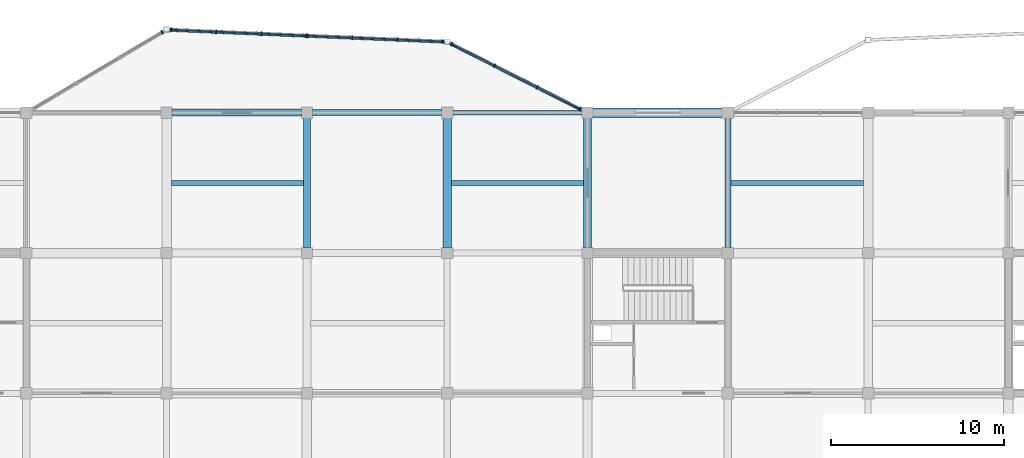
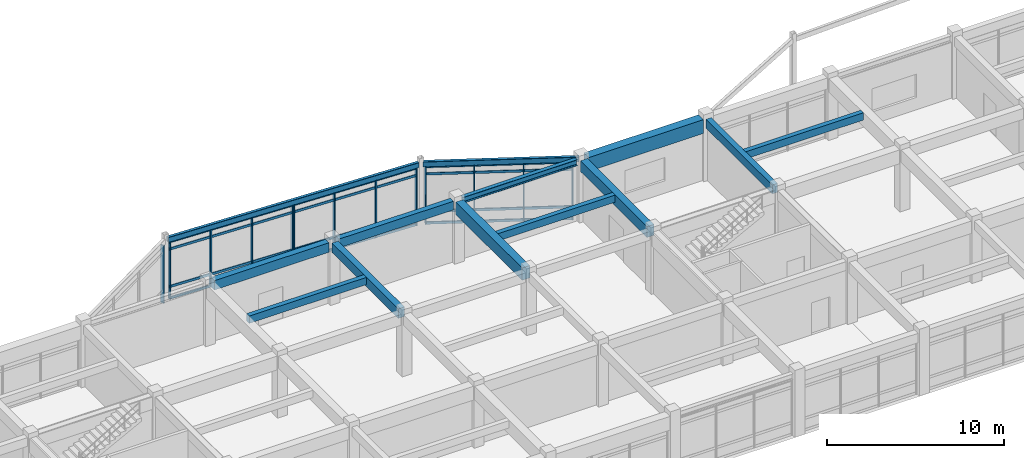
# One storey, part 44 of 93: 25 members, 13 beams, 4 elements without a shape of their own.
"""IFC4 building model written with IfcOpenShell, lengths in metres."""

from ifc_helpers import new_model, si_unit, direction, frame, origin, origin_2d, place, context, subcontext, project, spatial, rectangle, hollow_rectangle, i_section, extrude, material, layer, layer_set, material_profile, profile_set, type_object, element, aggregate, save


model = new_model("IFC4")

# Units and contexts
model_context = context("Model", 3, precision=1e-05, world=origin(), true_north=direction((0.0, 1.0)))
body_context = subcontext(model_context, "Body", "Model", "MODEL_VIEW")
ifc_project = project(units=[si_unit("LENGTHUNIT", "METRE"), si_unit("AREAUNIT", "SQUARE_METRE"), si_unit("VOLUMEUNIT", "CUBIC_METRE"), si_unit("PLANEANGLEUNIT", "RADIAN"), si_unit("MASSUNIT", "GRAM", prefix="KILO")], contexts=[model_context])

# Site, building, storey
site_placement = place(None, origin())
site = spatial("IfcSite", under=ifc_project, at=site_placement, CompositionType="ELEMENT")
building_placement = place(site_placement, origin())
building = spatial("IfcBuilding", under=site, at=building_placement, Name="Vaudrelin Polytechnic", CompositionType="ELEMENT")
storey_placement = place(building_placement, frame((0.0, 0.0, 5.10009765625)))
storey = spatial("IfcBuildingStorey", under=building, at=storey_placement, Name="L01", CompositionType="ELEMENT", Elevation=5.10009765625)

# Beams
ifc_material_1 = material(Name="Concrete 40 MPa", Category="concrete")
ifc_material_profile_1 = material_profile(ifc_material_1, rectangle(XDim=0.35009765625, YDim=0.60009765625, at=origin_2d()), Name="RC350x600")
ifc_profile_set_1 = profile_set([ifc_material_profile_1], Name="Concrete 40 MPa")
beam_type_1 = type_object("IfcBeamType", Name="BM-BM-RC3560", PredefinedType="BEAM", material=ifc_profile_set_1)
beam_1_placement = place(storey_placement, frame((64.800048828125, 113.7099609375, 3.949951171875), z_axis=(0.0, 1.0, 0.0), x_axis=(-1.0, 0.0, 0.0)))
element("IfcBeam", 1, at=beam_1_placement, inside=storey, type_object=beam_type_1, Name="L01 Y-beam 9-15", PredefinedType="BEAM", context=body_context, shape_type="SweptSolid", body=[
    extrude(rectangle(XDim=0.35009765625, YDim=0.60009765625, at=origin_2d()), origin(), (0.0, 0.0, 1.0), 7.47998046875),
])
beam_2_placement = place(storey_placement, frame((40.821044921875, 121.5, 3.949951171875), z_axis=(1.0, 0.0, 0.0), x_axis=(0.0, 1.0, 0.0)))
element("IfcBeam", 2, at=beam_2_placement, inside=storey, type_object=beam_type_1, Name="L01 X-beam 6-16", PredefinedType="BEAM", context=body_context, shape_type="SweptSolid", body=[
    extrude(rectangle(XDim=0.35009765625, YDim=0.60009765625, at=origin_2d()), origin(), (0.0, 0.0, 1.0), 7.4580078125),
])
ifc_material_profile_2 = material_profile(ifc_material_1, rectangle(XDim=0.39990234375, YDim=0.64990234375, at=origin_2d()), Name="RC400x650")
ifc_profile_set_2 = profile_set([ifc_material_profile_2], Name="Concrete 40 MPa")
beam_type_2 = type_object("IfcBeamType", Name="BM-BM-RC4065", PredefinedType="BEAM", material=ifc_profile_set_2)
beam_3_placement = place(storey_placement, frame((40.5, 113.7099609375, 3.9248046875), z_axis=(0.0, 1.0, 0.0), x_axis=(-1.0, 0.0, 0.0)))
element("IfcBeam", 3, at=beam_3_placement, inside=storey, type_object=beam_type_2, Name="L01 Y-beam 6-15", PredefinedType="BEAM", context=body_context, shape_type="SweptSolid", body=[
    extrude(rectangle(XDim=0.39990234375, YDim=0.64990234375, at=origin_2d()), origin(), (0.0, 0.0, 1.0), 7.47998046875),
])
beam_4_placement = place(storey_placement, frame((32.720947265625, 121.5, 3.9248046875), z_axis=(1.0, 0.0, 0.0), x_axis=(0.0, 1.0, 0.0)))
element("IfcBeam", 4, at=beam_4_placement, inside=storey, type_object=beam_type_2, Name="L01 X-beam 5-16", PredefinedType="BEAM", context=body_context, shape_type="SweptSolid", body=[
    extrude(rectangle(XDim=0.39990234375, YDim=0.64990234375, at=origin_2d()), origin(), (0.0, 0.0, 1.0), 7.4580078125),
])
ifc_material_profile_3 = material_profile(ifc_material_1, rectangle(XDim=0.449951171875, YDim=0.75, at=origin_2d()), Name="RC450x750")
ifc_profile_set_3 = profile_set([ifc_material_profile_3], Name="Concrete 40 MPa")
beam_type_3 = type_object("IfcBeamType", Name="BM-BM-RC4575", PredefinedType="BEAM", material=ifc_profile_set_3)
beam_5_placement = place(storey_placement, frame((56.699951171875, 113.7099609375, 3.875), z_axis=(0.0, 1.0, 0.0), x_axis=(-1.0, 0.0, 0.0)))
element("IfcBeam", 5, at=beam_5_placement, inside=storey, type_object=beam_type_3, Name="L01 Y-beam 8-15", PredefinedType="BEAM", context=body_context, shape_type="SweptSolid", body=[
    extrude(rectangle(XDim=0.449951171875, YDim=0.75, at=origin_2d()), origin(), (0.0, 0.0, 1.0), 7.47998046875),
])
ifc_material_profile_4 = material_profile(ifc_material_1, rectangle(XDim=0.5, YDim=0.85009765625, at=origin_2d()), Name="RC500x850")
ifc_profile_set_4 = profile_set([ifc_material_profile_4], Name="Concrete 40 MPa")
beam_type_4 = type_object("IfcBeamType", Name="BM-BM-RC5085", PredefinedType="BEAM", material=ifc_profile_set_4)
beam_6_placement = place(storey_placement, frame((48.60009765625, 113.7099609375, 3.824951171875), z_axis=(0.0, 1.0, 0.0), x_axis=(-1.0, 0.0, 0.0)))
element("IfcBeam", 6, at=beam_6_placement, inside=storey, type_object=beam_type_4, Name="L01 Y-beam 7-15", PredefinedType="BEAM", context=body_context, shape_type="SweptSolid", body=[
    extrude(rectangle(XDim=0.5, YDim=0.85009765625, at=origin_2d()), origin(), (0.0, 0.0, 1.0), 7.47998046875),
])
ifc_material_2 = material(Name="Concrete 50 MPa", Category="concrete")
ifc_material_profile_5 = material_profile(ifc_material_2, rectangle(XDim=0.550048828125, YDim=0.949951171875, at=origin_2d()), Name="RC550x950")
ifc_profile_set_5 = profile_set([ifc_material_profile_5], Name="Concrete 50 MPa")
beam_type_5 = type_object("IfcBeamType", Name="BM-BM-RC5595", PredefinedType="BEAM", material=ifc_profile_set_5)
beam_7_placement = place(storey_placement, frame((57.02099609375, 121.5, 3.77490234375), z_axis=(1.0, 0.0, 0.0), x_axis=(0.0, 1.0, 0.0)))
element("IfcBeam", 7, at=beam_7_placement, inside=storey, type_object=beam_type_5, Name="L01 X-beam 8-16", PredefinedType="BEAM", context=body_context, shape_type="SweptSolid", body=[
    extrude(rectangle(XDim=0.550048828125, YDim=0.949951171875, at=origin_2d()), origin(), (0.0, 0.0, 1.0), 7.4580078125),
])
ifc_material_3 = material(Name="Steel CSA G40.21 350WT", Category="steel")
ifc_material_profile_6 = material_profile(ifc_material_3, i_section(OverallWidth=0.260009765625, OverallDepth=0.4150390625, WebThickness=0.010009765625, FlangeThickness=0.016845703125, FilletRadius=0.01611328125, at=origin_2d()), Name="W410x100")
ifc_profile_set_6 = profile_set([ifc_material_profile_6], Name="Steel CSA G40.21 350WT")
beam_type_6 = type_object("IfcBeamType", Name="BM-BM-W410H", PredefinedType="SPANDREL", material=ifc_profile_set_6)
beam_8_placement = place(storey_placement, frame((48.9208984375, 121.5, 4.04248046875), z_axis=(1.0, 0.0, 0.0), x_axis=(0.0, 1.0, 0.0)))
element("IfcBeam", 8, at=beam_8_placement, inside=storey, type_object=beam_type_6, Name="L01 X-beam 7-16", PredefinedType="SPANDREL", context=body_context, shape_type="SweptSolid", body=[
    extrude(i_section(OverallWidth=0.260009765625, OverallDepth=0.4150390625, WebThickness=0.010009765625, FlangeThickness=0.016845703125, FilletRadius=0.01611328125, at=origin_2d()), origin(), (0.0, 0.0, 1.0), 7.4580078125),
])
ifc_material_profile_7 = material_profile(ifc_material_1, rectangle(XDim=0.300048828125, YDim=0.5, at=origin_2d()), Name="RC300x500")
ifc_profile_set_7 = profile_set([ifc_material_profile_7], Name="Concrete 40 MPa")
beam_type_7 = type_object("IfcBeamType", Name="BM-JS-RC3050", PredefinedType="JOIST", material=ifc_profile_set_7)
for number, where, z_axis, x_axis, name in (
    (9, (32.6708984375, 117.449951171875, 4.0), (1.0, 0.0, 0.0), (0.0, 1.0, 0.0), "L01 floor joist 5-15"),
    (10, (48.845947265625, 117.449951171875, 4.0), (1.0, 0.0, 0.0), (0.0, 1.0, 0.0), "L01 floor joist 7-15"),
):
    element("IfcBeam", number, at=place(storey_placement, frame(where, z_axis=z_axis, x_axis=x_axis)), inside=storey, type_object=beam_type_7, Name=name, PredefinedType="JOIST", context=body_context, shape_type="SweptSolid", body=[
        extrude(rectangle(XDim=0.300048828125, YDim=0.5, at=origin_2d()), origin(), (0.0, 0.0, 1.0), 7.633056640625),
    ])
beam_9_placement = place(storey_placement, frame((64.970947265625, 117.449951171875, 4.0), z_axis=(1.0, 0.0, 0.0), x_axis=(0.0, 1.0, 0.0)))
element("IfcBeam", 11, at=beam_9_placement, inside=storey, type_object=beam_type_7, Name="L01 floor joist 9-15", PredefinedType="JOIST", context=body_context, shape_type="SweptSolid", body=[
    extrude(rectangle(XDim=0.300048828125, YDim=0.5, at=origin_2d()), origin(), (0.0, 0.0, 1.0), 7.657958984375),
])
ifc_material_profile_8 = material_profile(ifc_material_3, hollow_rectangle(XDim=0.202880859375, YDim=0.35595703125, WallThickness=0.0126953125, InnerFilletRadius=0.0126953125, OuterFilletRadius=0.025390625, at=origin_2d()), Name="HSS356x203x12.7")
ifc_profile_set_8 = profile_set([ifc_material_profile_8], Name="Steel CSA G40.21 350WT")
beam_type_8 = type_object("IfcBeamType", Name="BM-SP-HSS35", PredefinedType="SPANDREL", material=ifc_profile_set_8)
beam_10_placement = place(storey_placement, frame((32.539794921875, 126.2939453125, 4.1318359375), z_axis=(0.999067570881, -0.043173936739, 0.0), x_axis=(0.043173936739, 0.999067570881, 0.0)))
element("IfcBeam", 12, at=beam_10_placement, inside=storey, type_object=beam_type_8, Name="Sculptural edge beam L01 N_OR1_B2", PredefinedType="SPANDREL", context=body_context, shape_type="SweptSolid", body=[
    extrude(hollow_rectangle(XDim=0.202880859375, YDim=0.35595703125, WallThickness=0.0126953125, InnerFilletRadius=0.0126953125, OuterFilletRadius=0.025390625, at=origin_2d()), origin(), (0.0, 0.0, 1.0), 15.935302734375),
])
beam_11_placement = place(storey_placement, frame((48.724853515625, 125.536865234375, 4.1318359375), z_axis=(0.892213204931, -0.451614433944, 0.0), x_axis=(0.451614433944, 0.892213204931, 0.0)))
element("IfcBeam", 13, at=beam_11_placement, inside=storey, type_object=beam_type_8, Name="Sculptural edge beam L01 N_OR1_B3", PredefinedType="SPANDREL", context=body_context, shape_type="SweptSolid", body=[
    extrude(hollow_rectangle(XDim=0.202880859375, YDim=0.35595703125, WallThickness=0.0126953125, InnerFilletRadius=0.0126953125, OuterFilletRadius=0.025390625, at=origin_2d()), origin(), (0.0, 0.0, 1.0), 8.798828125),
])

# Curtain wall, member
ifc_material_4 = material(Name="Thermally broken anodised aluminium AA 6063-T6 and low-e triple glazing", Category="aluminium")
ifc_layer = layer(ifc_material_4, 0.199951171875)
ifc_layer_set = layer_set([ifc_layer], Name="Thermally broken anodised aluminium AA 6063-T6 and low-e triple glazing")
curtain_wall_type = type_object("IfcCurtainWallType", Name="CW-CW-STU", PredefinedType="USERDEFINED", material=ifc_layer_set)
curtain_wall_1_placement = place(storey_placement, origin())
curtain_wall_1 = element("IfcCurtainWall", 14, at=curtain_wall_1_placement, inside=storey, type_object=curtain_wall_type, Name="Curtain wall L01 N_OR1_1_0", ObjectType="CURTAIN WALL", PredefinedType="USERDEFINED")
ifc_material_5 = material(Name="Anodised aluminium AA 6063-T6", Category="aluminium")
ifc_material_profile_9 = material_profile(ifc_material_5, rectangle(XDim=0.074951171875, YDim=0.219970703125, at=origin_2d()), Name="CWM-75x220")
ifc_profile_set_9 = profile_set([ifc_material_profile_9], Name="Anodised aluminium AA 6063-T6")
member_type_1 = type_object("IfcMemberType", Name="MEM-CWM-220", PredefinedType="MULLION", material=ifc_profile_set_9)
member_1_placement = place(storey_placement, frame((32.139892578125, 126.14599609375, 0.0), z_axis=(0.0, 0.0, 1.0), x_axis=(0.860291533635, 0.509802390301, 0.0)))
member_1 = element("IfcMember", 15, at=member_1_placement, type_object=member_type_1, Name="N_OR1_1_0 mullion 4", PredefinedType="MULLION", context=body_context, shape_type="SweptSolid", body=[
    extrude(rectangle(XDim=0.074951171875, YDim=0.219970703125, at=origin_2d()), origin(), (0.0, 0.0, 1.0), 3.97998046875),
])
aggregate(curtain_wall_1, [member_1])

# Curtain wall, members
curtain_wall_2_placement = place(storey_placement, origin())
curtain_wall_2 = element("IfcCurtainWall", 16, at=curtain_wall_2_placement, inside=storey, type_object=curtain_wall_type, Name="Curtain wall L01 N_OR1_2_0", ObjectType="CURTAIN WALL", PredefinedType="USERDEFINED")
member_2_placement = place(storey_placement, frame((32.677490234375, 126.2880859375, 0.0), z_axis=(0.0, 0.0, 1.0), x_axis=(0.99906798854, -0.043164270821, 0.0)))
member_2 = element("IfcMember", 17, at=member_2_placement, type_object=member_type_1, Name="N_OR1_2_0 mullion 1", PredefinedType="MULLION", context=body_context, shape_type="SweptSolid", body=[
    extrude(rectangle(XDim=0.074951171875, YDim=0.219970703125, at=origin_2d()), origin(), (0.0, 0.0, 1.0), 3.97998046875),
])
member_3_placement = place(storey_placement, frame((35.25830078125, 126.176513671875, 0.0), z_axis=(0.0, 0.0, 1.0), x_axis=(0.99906798854, -0.043164270821, 0.0)))
member_3 = element("IfcMember", 18, at=member_3_placement, type_object=member_type_1, Name="N_OR1_2_0 mullion 2", PredefinedType="MULLION", context=body_context, shape_type="SweptSolid", body=[
    extrude(rectangle(XDim=0.074951171875, YDim=0.219970703125, at=origin_2d()), origin(), (0.0, 0.0, 1.0), 3.97998046875),
])
member_4_placement = place(storey_placement, frame((37.879150390625, 126.063232421875, 0.0), z_axis=(0.0, 0.0, 1.0), x_axis=(0.99906798854, -0.043164270821, 0.0)))
member_4 = element("IfcMember", 19, at=member_4_placement, type_object=member_type_1, Name="N_OR1_2_0 mullion 3", PredefinedType="MULLION", context=body_context, shape_type="SweptSolid", body=[
    extrude(rectangle(XDim=0.074951171875, YDim=0.219970703125, at=origin_2d()), origin(), (0.0, 0.0, 1.0), 3.97998046875),
])
member_5_placement = place(storey_placement, frame((40.4599609375, 125.95166015625, 0.0), z_axis=(0.0, 0.0, 1.0), x_axis=(0.99906798854, -0.043164270821, 0.0)))
member_5 = element("IfcMember", 20, at=member_5_placement, type_object=member_type_1, Name="N_OR1_2_0 mullion 4", PredefinedType="MULLION", context=body_context, shape_type="SweptSolid", body=[
    extrude(rectangle(XDim=0.074951171875, YDim=0.219970703125, at=origin_2d()), origin(), (0.0, 0.0, 1.0), 3.97998046875),
])

curtain_wall_3_placement = place(storey_placement, origin())
curtain_wall_3 = element("IfcCurtainWall", 21, at=curtain_wall_3_placement, inside=storey, type_object=curtain_wall_type, Name="Curtain wall L01 N_OR1_2_1", ObjectType="CURTAIN WALL", PredefinedType="USERDEFINED")
member_6_placement = place(storey_placement, frame((40.5400390625, 125.9482421875, 0.0), z_axis=(0.0, 0.0, 1.0), x_axis=(0.99906798854, -0.043164270821, 0.0)))
member_6 = element("IfcMember", 22, at=member_6_placement, type_object=member_type_1, Name="N_OR1_2_1 mullion 1", PredefinedType="MULLION", context=body_context, shape_type="SweptSolid", body=[
    extrude(rectangle(XDim=0.074951171875, YDim=0.219970703125, at=origin_2d()), origin(), (0.0, 0.0, 1.0), 3.97998046875),
])
member_7_placement = place(storey_placement, frame((43.120849609375, 125.8369140625, 0.0), z_axis=(0.0, 0.0, 1.0), x_axis=(0.99906798854, -0.043164270821, 0.0)))
member_7 = element("IfcMember", 23, at=member_7_placement, type_object=member_type_1, Name="N_OR1_2_1 mullion 2", PredefinedType="MULLION", context=body_context, shape_type="SweptSolid", body=[
    extrude(rectangle(XDim=0.074951171875, YDim=0.219970703125, at=origin_2d()), origin(), (0.0, 0.0, 1.0), 3.97998046875),
])
member_8_placement = place(storey_placement, frame((45.74169921875, 125.723388671875, 0.0), z_axis=(0.0, 0.0, 1.0), x_axis=(0.99906798854, -0.043164270821, 0.0)))
member_8 = element("IfcMember", 24, at=member_8_placement, type_object=member_type_1, Name="N_OR1_2_1 mullion 3", PredefinedType="MULLION", context=body_context, shape_type="SweptSolid", body=[
    extrude(rectangle(XDim=0.074951171875, YDim=0.219970703125, at=origin_2d()), origin(), (0.0, 0.0, 1.0), 3.97998046875),
])
member_9_placement = place(storey_placement, frame((48.322509765625, 125.612060546875, 0.0), z_axis=(0.0, 0.0, 1.0), x_axis=(0.99906798854, -0.043164270821, 0.0)))
member_9 = element("IfcMember", 25, at=member_9_placement, type_object=member_type_1, Name="N_OR1_2_1 mullion 4", PredefinedType="MULLION", context=body_context, shape_type="SweptSolid", body=[
    extrude(rectangle(XDim=0.074951171875, YDim=0.219970703125, at=origin_2d()), origin(), (0.0, 0.0, 1.0), 3.97998046875),
])

curtain_wall_4_placement = place(storey_placement, origin())
curtain_wall_4 = element("IfcCurtainWall", 26, at=curtain_wall_4_placement, inside=storey, type_object=curtain_wall_type, Name="Curtain wall L01 N_OR1_3_0", ObjectType="CURTAIN WALL", PredefinedType="USERDEFINED")
member_10_placement = place(storey_placement, frame((48.864013671875, 125.46630859375, 0.0), z_axis=(0.0, 0.0, 1.0), x_axis=(0.892216550993, -0.451607823375, 0.0)))
member_10 = element("IfcMember", 27, at=member_10_placement, type_object=member_type_1, Name="N_OR1_3_0 mullion 1", PredefinedType="MULLION", context=body_context, shape_type="SweptSolid", body=[
    extrude(rectangle(XDim=0.074951171875, YDim=0.219970703125, at=origin_2d()), origin(), (0.0, 0.0, 1.0), 3.97998046875),
])
member_11_placement = place(storey_placement, frame((51.318603515625, 124.223876953125, 0.0), z_axis=(0.0, 0.0, 1.0), x_axis=(0.892216550993, -0.451607823375, 0.0)))
member_11 = element("IfcMember", 28, at=member_11_placement, type_object=member_type_1, Name="N_OR1_3_0 mullion 2", PredefinedType="MULLION", context=body_context, shape_type="SweptSolid", body=[
    extrude(rectangle(XDim=0.074951171875, YDim=0.219970703125, at=origin_2d()), origin(), (0.0, 0.0, 1.0), 3.97998046875),
])
member_12_placement = place(storey_placement, frame((53.808837890625, 122.96337890625, 0.0), z_axis=(0.0, 0.0, 1.0), x_axis=(0.892216550993, -0.451607823375, 0.0)))
member_12 = element("IfcMember", 29, at=member_12_placement, type_object=member_type_1, Name="N_OR1_3_0 mullion 3", PredefinedType="MULLION", context=body_context, shape_type="SweptSolid", body=[
    extrude(rectangle(XDim=0.074951171875, YDim=0.219970703125, at=origin_2d()), origin(), (0.0, 0.0, 1.0), 3.97998046875),
])
member_13_placement = place(storey_placement, frame((56.263427734375, 121.720947265625, 0.0), z_axis=(0.0, 0.0, 1.0), x_axis=(0.892216550993, -0.451607823375, 0.0)))
member_13 = element("IfcMember", 30, at=member_13_placement, type_object=member_type_1, Name="N_OR1_3_0 mullion 4", PredefinedType="MULLION", context=body_context, shape_type="SweptSolid", body=[
    extrude(rectangle(XDim=0.074951171875, YDim=0.219970703125, at=origin_2d()), origin(), (0.0, 0.0, 1.0), 3.97998046875),
])

# Member
ifc_material_profile_10 = material_profile(ifc_material_5, rectangle(XDim=0.074951171875, YDim=0.1650390625, at=origin_2d()), Name="CWT-75x165")
ifc_profile_set_10 = profile_set([ifc_material_profile_10], Name="Anodised aluminium AA 6063-T6")
member_type_2 = type_object("IfcMemberType", Name="MEM-CWT-165", PredefinedType="USERDEFINED", material=ifc_profile_set_10)
member_14_placement = place(storey_placement, frame((32.637451171875, 126.289794921875, 0.0498046875), z_axis=(0.999067188558, -0.043182782999, 0.0), x_axis=(0.043182782999, 0.999067188558, 0.0)))
member_14 = element("IfcMember", 31, at=member_14_placement, type_object=member_type_2, Name="N_OR1_2_0 transom 1", ObjectType="TRANSOM", PredefinedType="USERDEFINED", context=body_context, shape_type="SweptSolid", body=[
    extrude(rectangle(XDim=0.074951171875, YDim=0.1650390625, at=origin_2d()), origin(), (0.0, 0.0, 1.0), 7.869873046875),
])

member_15_placement = place(storey_placement, frame((32.637451171875, 126.289794921875, 0.849853515625), z_axis=(0.999067188558, -0.043182782999, 0.0), x_axis=(0.043182782999, 0.999067188558, 0.0)))
member_15 = element("IfcMember", 32, at=member_15_placement, type_object=member_type_2, Name="N_OR1_2_0 transom 2", ObjectType="TRANSOM", PredefinedType="USERDEFINED", context=body_context, shape_type="SweptSolid", body=[
    extrude(rectangle(XDim=0.074951171875, YDim=0.1650390625, at=origin_2d()), origin(), (0.0, 0.0, 1.0), 7.869873046875),
])

member_16_placement = place(storey_placement, frame((32.637451171875, 126.289794921875, 3.429931640625), z_axis=(0.999067188558, -0.043182782999, 0.0), x_axis=(0.043182782999, 0.999067188558, 0.0)))
member_16 = element("IfcMember", 33, at=member_16_placement, type_object=member_type_2, Name="N_OR1_2_0 transom 3", ObjectType="TRANSOM", PredefinedType="USERDEFINED", context=body_context, shape_type="SweptSolid", body=[
    extrude(rectangle(XDim=0.074951171875, YDim=0.1650390625, at=origin_2d()), origin(), (0.0, 0.0, 1.0), 7.869873046875),
])

member_17_placement = place(storey_placement, frame((32.637451171875, 126.289794921875, 3.929931640625), z_axis=(0.999067188558, -0.043182782999, 0.0), x_axis=(0.043182782999, 0.999067188558, 0.0)))
member_17 = element("IfcMember", 34, at=member_17_placement, type_object=member_type_2, Name="N_OR1_2_0 transom 4", ObjectType="TRANSOM", PredefinedType="USERDEFINED", context=body_context, shape_type="SweptSolid", body=[
    extrude(rectangle(XDim=0.074951171875, YDim=0.1650390625, at=origin_2d()), origin(), (0.0, 0.0, 1.0), 7.869873046875),
])

aggregate(curtain_wall_2, [member_2, member_3, member_4, member_5, member_14, member_15, member_16, member_17])

member_18_placement = place(storey_placement, frame((40.5, 125.949951171875, 0.0498046875), z_axis=(0.999068526451, -0.043151818671, 0.0), x_axis=(0.043151818671, 0.999068526451, 0.0)))
member_18 = element("IfcMember", 35, at=member_18_placement, type_object=member_type_2, Name="N_OR1_2_1 transom 1", ObjectType="TRANSOM", PredefinedType="USERDEFINED", context=body_context, shape_type="SweptSolid", body=[
    extrude(rectangle(XDim=0.074951171875, YDim=0.1650390625, at=origin_2d()), origin(), (0.0, 0.0, 1.0), 7.869873046875),
])

member_19_placement = place(storey_placement, frame((40.5, 125.949951171875, 0.849853515625), z_axis=(0.999068526451, -0.043151818671, 0.0), x_axis=(0.043151818671, 0.999068526451, 0.0)))
member_19 = element("IfcMember", 36, at=member_19_placement, type_object=member_type_2, Name="N_OR1_2_1 transom 2", ObjectType="TRANSOM", PredefinedType="USERDEFINED", context=body_context, shape_type="SweptSolid", body=[
    extrude(rectangle(XDim=0.074951171875, YDim=0.1650390625, at=origin_2d()), origin(), (0.0, 0.0, 1.0), 7.869873046875),
])

member_20_placement = place(storey_placement, frame((40.5, 125.949951171875, 3.429931640625), z_axis=(0.999068526451, -0.043151818671, 0.0), x_axis=(0.043151818671, 0.999068526451, 0.0)))
member_20 = element("IfcMember", 37, at=member_20_placement, type_object=member_type_2, Name="N_OR1_2_1 transom 3", ObjectType="TRANSOM", PredefinedType="USERDEFINED", context=body_context, shape_type="SweptSolid", body=[
    extrude(rectangle(XDim=0.074951171875, YDim=0.1650390625, at=origin_2d()), origin(), (0.0, 0.0, 1.0), 7.869873046875),
])

member_21_placement = place(storey_placement, frame((40.5, 125.949951171875, 3.929931640625), z_axis=(0.999068526451, -0.043151818671, 0.0), x_axis=(0.043151818671, 0.999068526451, 0.0)))
member_21 = element("IfcMember", 38, at=member_21_placement, type_object=member_type_2, Name="N_OR1_2_1 transom 4", ObjectType="TRANSOM", PredefinedType="USERDEFINED", context=body_context, shape_type="SweptSolid", body=[
    extrude(rectangle(XDim=0.074951171875, YDim=0.1650390625, at=origin_2d()), origin(), (0.0, 0.0, 1.0), 7.869873046875),
])

aggregate(curtain_wall_3, [member_6, member_7, member_8, member_9, member_18, member_19, member_20, member_21])

member_22_placement = place(storey_placement, frame((48.828369140625, 125.484375, 0.0498046875), z_axis=(0.892217984181, -0.451604991895, 0.0), x_axis=(0.451604991895, 0.892217984181, 0.0)))
member_22 = element("IfcMember", 39, at=member_22_placement, type_object=member_type_2, Name="N_OR1_3_0 transom 1", ObjectType="TRANSOM", PredefinedType="USERDEFINED", context=body_context, shape_type="SweptSolid", body=[
    extrude(rectangle(XDim=0.074951171875, YDim=0.1650390625, at=origin_2d()), origin(), (0.0, 0.0, 1.0), 8.37353515625),
])

member_23_placement = place(storey_placement, frame((48.828369140625, 125.484375, 0.849853515625), z_axis=(0.892217984181, -0.451604991895, 0.0), x_axis=(0.451604991895, 0.892217984181, 0.0)))
member_23 = element("IfcMember", 40, at=member_23_placement, type_object=member_type_2, Name="N_OR1_3_0 transom 2", ObjectType="TRANSOM", PredefinedType="USERDEFINED", context=body_context, shape_type="SweptSolid", body=[
    extrude(rectangle(XDim=0.074951171875, YDim=0.1650390625, at=origin_2d()), origin(), (0.0, 0.0, 1.0), 8.37353515625),
])

member_24_placement = place(storey_placement, frame((48.828369140625, 125.484375, 3.429931640625), z_axis=(0.892217984181, -0.451604991895, 0.0), x_axis=(0.451604991895, 0.892217984181, 0.0)))
member_24 = element("IfcMember", 41, at=member_24_placement, type_object=member_type_2, Name="N_OR1_3_0 transom 3", ObjectType="TRANSOM", PredefinedType="USERDEFINED", context=body_context, shape_type="SweptSolid", body=[
    extrude(rectangle(XDim=0.074951171875, YDim=0.1650390625, at=origin_2d()), origin(), (0.0, 0.0, 1.0), 8.37353515625),
])

member_25_placement = place(storey_placement, frame((48.828369140625, 125.484375, 3.929931640625), z_axis=(0.892217984181, -0.451604991895, 0.0), x_axis=(0.451604991895, 0.892217984181, 0.0)))
member_25 = element("IfcMember", 42, at=member_25_placement, type_object=member_type_2, Name="N_OR1_3_0 transom 4", ObjectType="TRANSOM", PredefinedType="USERDEFINED", context=body_context, shape_type="SweptSolid", body=[
    extrude(rectangle(XDim=0.074951171875, YDim=0.1650390625, at=origin_2d()), origin(), (0.0, 0.0, 1.0), 8.37353515625),
])

aggregate(curtain_wall_4, [member_10, member_11, member_12, member_13, member_22, member_23, member_24, member_25])

save(model, "model.ifc")
